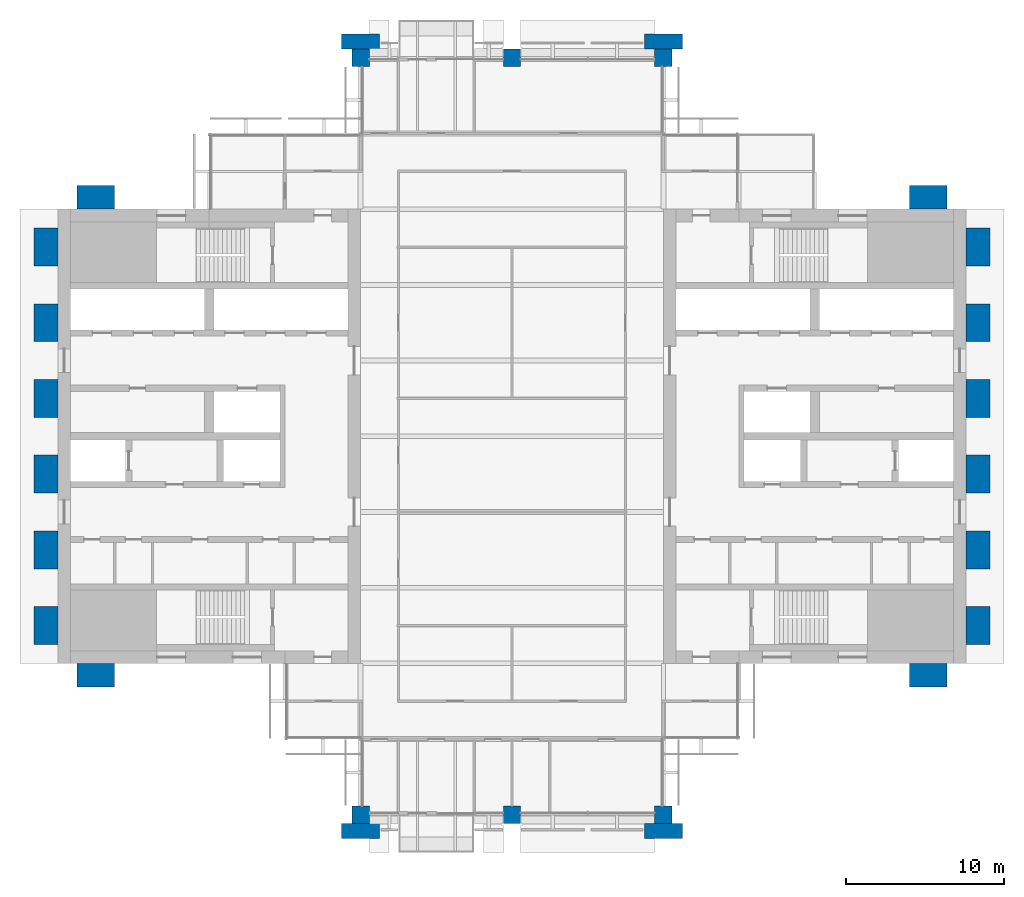
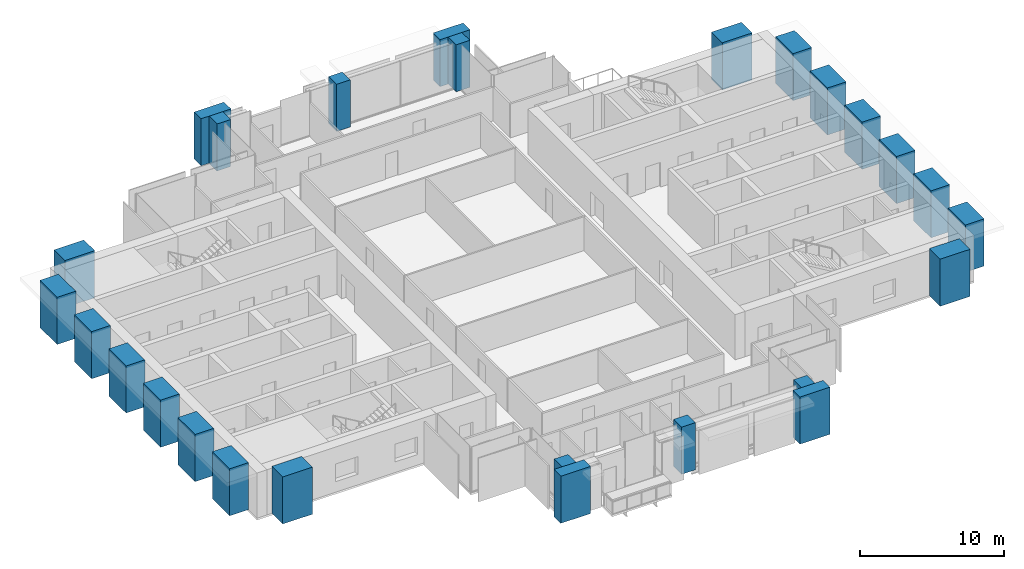
# One storey, part 1 of 14: 26 columns.
"""IFC4 building model written with IfcOpenShell, lengths in metres."""

from ifc_helpers import new_model, si_unit, direction, frame, origin, origin_2d, place, context, subcontext, project, spatial, rectangle, extrude, material, material_profile, profile_set, type_object, element, save


model = new_model("IFC4")

# Units and contexts
model_context = context("Model", 3, precision=1e-05, world=origin(), true_north=direction((0.0, 1.0)))
body_context = subcontext(model_context, "Body", "Model", "MODEL_VIEW")
ifc_project = project(units=[si_unit("LENGTHUNIT", "METRE"), si_unit("AREAUNIT", "SQUARE_METRE"), si_unit("VOLUMEUNIT", "CUBIC_METRE"), si_unit("PLANEANGLEUNIT", "RADIAN"), si_unit("MASSUNIT", "GRAM", prefix="KILO")], contexts=[model_context])

# Site, building, storey
site_placement = place(None, origin())
site = spatial("IfcSite", under=ifc_project, at=site_placement, CompositionType="ELEMENT")
building_placement = place(site_placement, origin())
building = spatial("IfcBuilding", under=site, at=building_placement, Name="Baori Bourse Tower", CompositionType="ELEMENT")
storey_placement = place(building_placement, frame((0.0, 0.0, 257.199951171875)))
storey = spatial("IfcBuildingStorey", under=building, at=storey_placement, Name="L57", CompositionType="ELEMENT", Elevation=257.199951171875)

# Columns
ifc_material_1 = material(Name="Concrete f'c 60 MPa", Category="concrete")
ifc_material_profile_1 = material_profile(ifc_material_1, rectangle(XDim=2.39990234375, YDim=0.949951171875, at=origin_2d()), Name="RC 2400x950")
ifc_profile_set_1 = profile_set([ifc_material_profile_1], Name="Concrete f'c 60 MPa")
column_type_1 = type_object("IfcColumnType", Name="FN3 Brick pilaster 2400x950", PredefinedType="PILASTER", material=ifc_profile_set_1)
for number, where, z_axis, x_axis, name in (
    (1, (19.199951171875, -1.02490234375, 0.0), (0.0, 0.0, 1.0), (1.0, 0.0, 0.0), "Brick pilaster L57 17"),
    (2, (38.39990234375, -1.02490234375, 0.0), (0.0, 0.0, 1.0), (1.0, 0.0, 0.0), "Brick pilaster L57 18"),
    (3, (19.199951171875, 49.02490234375, 0.0), (0.0, 0.0, 1.0), (1.0, 0.0, 0.0), "Brick pilaster L57 19"),
    (4, (38.39990234375, 49.02490234375, 0.0), (0.0, 0.0, 1.0), (1.0, 0.0, 0.0), "Brick pilaster L57 20"),
):
    element("IfcColumn", number, at=place(storey_placement, frame(where, z_axis=z_axis, x_axis=x_axis)), inside=storey, type_object=column_type_1, Name=name, PredefinedType="PILASTER", context=body_context, shape_type="SweptSolid", body=[
        extrude(rectangle(XDim=2.39990234375, YDim=0.949951171875, at=origin_2d()), origin(), (0.0, 0.0, 1.0), 4.0),
    ])
ifc_material_2 = material(Name="Concrete f'c 60 MPa", Category="concrete")
ifc_material_profile_2 = material_profile(ifc_material_2, rectangle(XDim=2.39990234375, YDim=1.5, at=origin_2d()), Name="RC 2400x1500")
ifc_profile_set_2 = profile_set([ifc_material_profile_2], Name="Concrete f'c 60 MPa")
column_type_2 = type_object("IfcColumnType", Name="FN4 Brick flank pilaster 2400x1500", PredefinedType="PILASTER", material=ifc_profile_set_2)
for number, where, z_axis, x_axis, name in (
    (5, (55.199951171875, 8.85009765625, 0.0), (0.0, 0.0, 1.0), (1.0, 0.0, 0.0), "Brick pilaster L57 1"),
    (6, (58.35009765625, 12.0, 0.0), (0.0, 0.0, 1.0), (0.0, 1.0, 0.0), "Brick pilaster L57 2"),
    (7, (58.35009765625, 16.800048828125, 0.0), (0.0, 0.0, 1.0), (0.0, 1.0, 0.0), "Brick pilaster L57 3"),
    (8, (58.35009765625, 21.60009765625, 0.0), (0.0, 0.0, 1.0), (0.0, 1.0, 0.0), "Brick pilaster L57 4"),
    (9, (58.35009765625, 26.39990234375, 0.0), (0.0, 0.0, 1.0), (0.0, 1.0, 0.0), "Brick pilaster L57 5"),
    (10, (58.35009765625, 31.199951171875, 0.0), (0.0, 0.0, 1.0), (0.0, 1.0, 0.0), "Brick pilaster L57 6"),
    (11, (58.35009765625, 36.0, 0.0), (0.0, 0.0, 1.0), (0.0, 1.0, 0.0), "Brick pilaster L57 7"),
    (12, (55.199951171875, 39.14990234375, 0.0), (0.0, 0.0, 1.0), (1.0, 0.0, 0.0), "Brick pilaster L57 8"),
    (13, (2.39990234375, 39.14990234375, 0.0), (0.0, 0.0, 1.0), (1.0, 0.0, 0.0), "Brick pilaster L57 9"),
    (14, (-0.75, 12.0, 0.0), (0.0, 0.0, 1.0), (0.0, 1.0, 0.0), "Brick pilaster L57 10"),
    (15, (-0.75, 16.800048828125, 0.0), (0.0, 0.0, 1.0), (0.0, 1.0, 0.0), "Brick pilaster L57 11"),
    (16, (-0.75, 21.60009765625, 0.0), (0.0, 0.0, 1.0), (0.0, 1.0, 0.0), "Brick pilaster L57 12"),
    (17, (-0.75, 26.39990234375, 0.0), (0.0, 0.0, 1.0), (0.0, 1.0, 0.0), "Brick pilaster L57 13"),
    (18, (-0.75, 31.199951171875, 0.0), (0.0, 0.0, 1.0), (0.0, 1.0, 0.0), "Brick pilaster L57 14"),
    (19, (-0.75, 36.0, 0.0), (0.0, 0.0, 1.0), (0.0, 1.0, 0.0), "Brick pilaster L57 15"),
    (20, (2.39990234375, 8.85009765625, 0.0), (0.0, 0.0, 1.0), (1.0, 0.0, 0.0), "Brick pilaster L57 16"),
):
    element("IfcColumn", number, at=place(storey_placement, frame(where, z_axis=z_axis, x_axis=x_axis)), inside=storey, type_object=column_type_2, Name=name, PredefinedType="PILASTER", context=body_context, shape_type="SweptSolid", body=[
        extrude(rectangle(XDim=2.39990234375, YDim=1.5, at=origin_2d()), origin(), (0.0, 0.0, 1.0), 4.0),
    ])
ifc_material_3 = material(Name="Concrete f'c 50 MPa", Category="concrete")
ifc_material_profile_3 = material_profile(ifc_material_3, rectangle(XDim=1.10009765625, YDim=1.10009765625, at=origin_2d()), Name="RC 1100x1100")
ifc_profile_set_3 = profile_set([ifc_material_profile_3], Name="Concrete f'c 50 MPa")
column_type_3 = type_object("IfcColumnType", Name="Perimeter column 50 RC 1100x1100", PredefinedType="COLUMN", material=ifc_profile_set_3)
for number, where, z_axis, x_axis, name in (
    (21, (19.199951171875, 0.0, 0.0), (0.0, 0.0, 1.0), (1.0, 0.0, 0.0), "Perimeter column L57"),
    (22, (28.800048828125, 0.0, 0.0), (0.0, 0.0, 1.0), (1.0, 0.0, 0.0), "Perimeter column L57"),
    (23, (38.39990234375, 0.0, 0.0), (0.0, 0.0, 1.0), (1.0, 0.0, 0.0), "Perimeter column L57"),
    (24, (19.199951171875, 48.0, 0.0), (0.0, 0.0, 1.0), (1.0, 0.0, 0.0), "Perimeter column L57"),
    (25, (28.800048828125, 48.0, 0.0), (0.0, 0.0, 1.0), (1.0, 0.0, 0.0), "Perimeter column L57"),
    (26, (38.39990234375, 48.0, 0.0), (0.0, 0.0, 1.0), (1.0, 0.0, 0.0), "Perimeter column L57"),
):
    element("IfcColumn", number, at=place(storey_placement, frame(where, z_axis=z_axis, x_axis=x_axis)), inside=storey, type_object=column_type_3, Name=name, PredefinedType="COLUMN", context=body_context, shape_type="SweptSolid", body=[
        extrude(rectangle(XDim=1.10009765625, YDim=1.10009765625, at=origin_2d()), origin(), (0.0, 0.0, 1.0), 4.0),
    ])

save(model, "model.ifc")
